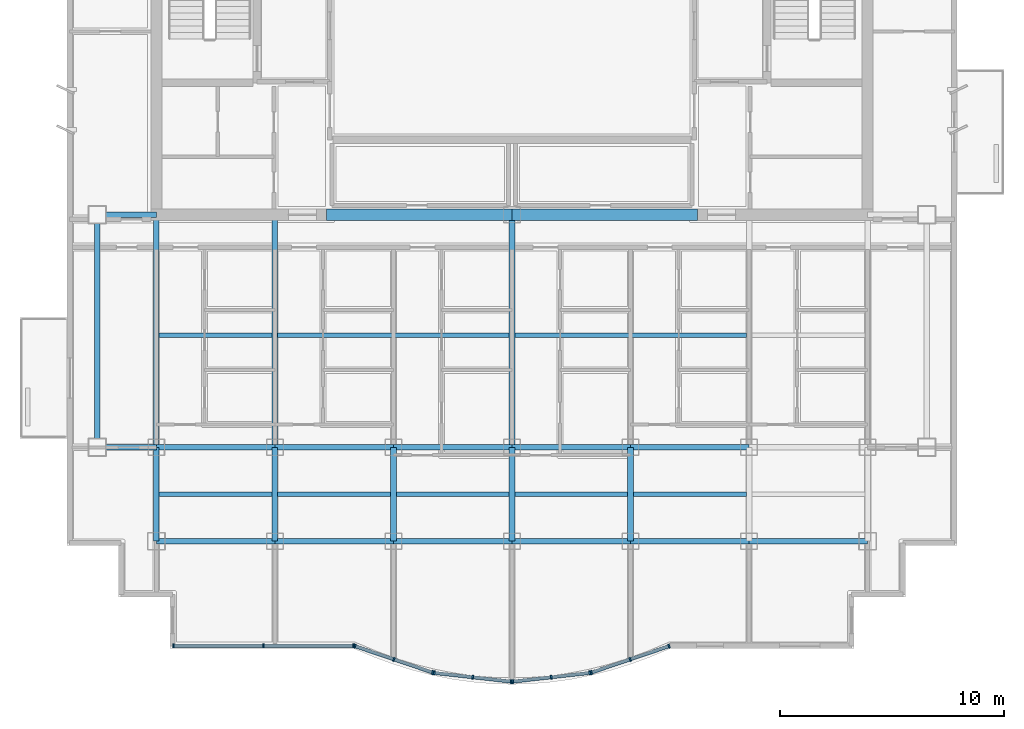
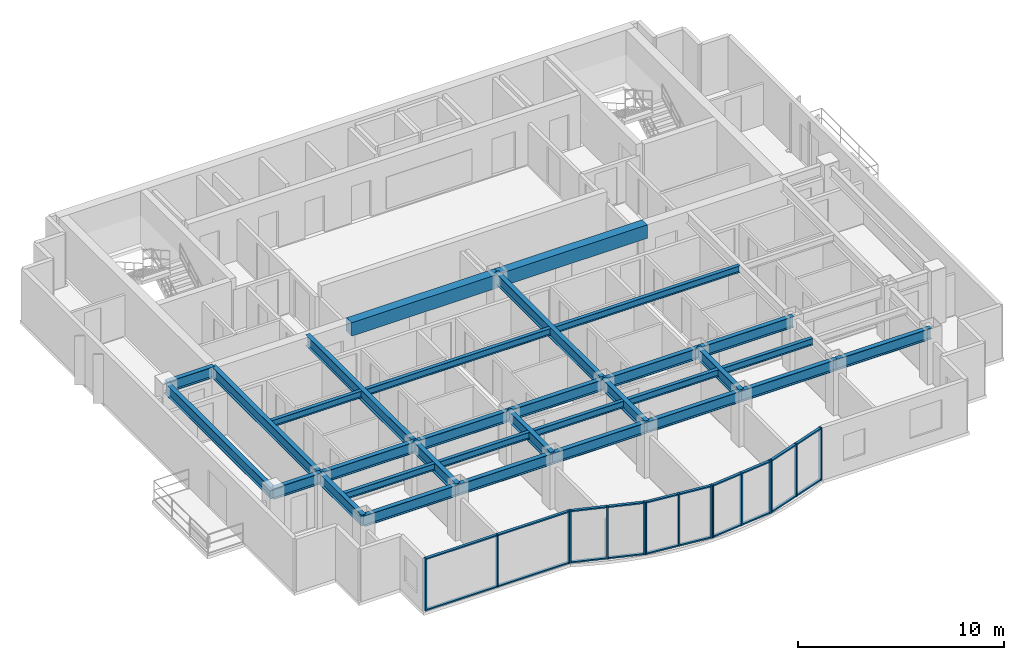
# One storey, part 2 of 9: 35 members, 32 beams, 5 elements without a shape of their own.
"""IFC4 building model written with IfcOpenShell, lengths in metres."""

from ifc_helpers import new_model, si_unit, direction, frame, origin, origin_2d, place, context, subcontext, project, spatial, rectangle, i_section, extrude, source, transform, mapped, material, layer, layer_set, material_profile, profile_set, type_object, element, aggregate, save


model = new_model("IFC4")

# Units and contexts
model_context = context("Model", 3, precision=1e-05, world=origin(), true_north=direction((0.0, 1.0)))
body_context = subcontext(model_context, "Body", "Model", "MODEL_VIEW")
ifc_project = project(units=[si_unit("LENGTHUNIT", "METRE"), si_unit("AREAUNIT", "SQUARE_METRE"), si_unit("VOLUMEUNIT", "CUBIC_METRE"), si_unit("PLANEANGLEUNIT", "RADIAN"), si_unit("MASSUNIT", "GRAM", prefix="KILO")], contexts=[model_context])

# Site, building, storey
site_placement = place(None, origin())
site = spatial("IfcSite", under=ifc_project, at=site_placement, CompositionType="ELEMENT")
building_placement = place(site_placement, origin())
building = spatial("IfcBuilding", under=site, at=building_placement, Name="Qianlan Lanfeng Residences", CompositionType="ELEMENT")
storey_placement = place(building_placement, frame((0.0, 0.0, 229.699951171875)))
storey = spatial("IfcBuildingStorey", under=building, at=storey_placement, Name="L63", CompositionType="ELEMENT", Elevation=229.699951171875)

# Beams
ifc_material_1 = material(Name="Steel SN490B", Category="steel")
ifc_material_profile_1 = material_profile(ifc_material_1, i_section(OverallWidth=0.25, OverallDepth=0.64990234375, WebThickness=0.012939453125, FlangeThickness=0.02197265625, at=origin_2d()), Name="H 650x250x13x22")
ifc_profile_set_1 = profile_set([ifc_material_profile_1], Name="Steel SN490B")
beam_type_1 = type_object("IfcBeamType", Name="G-650", PredefinedType="BEAM", material=ifc_profile_set_1)
beam_1_placement = place(storey_placement, frame((10.60009765625, 10.60009765625, 2.78515625), z_axis=(1.0, 0.0, 0.0), x_axis=(0.0, 1.0, 0.0)))
element("IfcBeam", 1, at=beam_1_placement, inside=storey, type_object=beam_type_1, Name="Structural beam G-650", PredefinedType="BEAM", context=body_context, shape_type="SweptSolid", body=[
    extrude(i_section(OverallWidth=0.25, OverallDepth=0.64990234375, WebThickness=0.012939453125, FlangeThickness=0.02197265625, at=origin_2d()), origin(), (0.0, 0.0, 1.0), 5.2998046875),
])
for number, where, z_axis, x_axis, name in (
    (2, (15.89990234375, 10.60009765625, 2.78515625), (1.0, 0.0, 0.0), (0.0, 1.0, 0.0), "Structural beam G-650"),
    (3, (21.199951171875, 10.60009765625, 2.78515625), (1.0, 0.0, 0.0), (0.0, 1.0, 0.0), "Structural beam G-650"),
    (4, (26.5, 10.60009765625, 2.78515625), (1.0, 0.0, 0.0), (0.0, 1.0, 0.0), "Structural beam G-650"),
    (5, (31.800048828125, 10.60009765625, 2.78515625), (1.0, 0.0, 0.0), (0.0, 1.0, 0.0), "Structural beam G-650"),
):
    element("IfcBeam", number, at=place(storey_placement, frame(where, z_axis=z_axis, x_axis=x_axis)), inside=storey, type_object=beam_type_1, Name=name, PredefinedType="BEAM", context=body_context, shape_type="SweptSolid", body=[
        extrude(i_section(OverallWidth=0.25, OverallDepth=0.64990234375, WebThickness=0.012939453125, FlangeThickness=0.02197265625, at=origin_2d()), origin(), (0.0, 0.0, 1.0), 5.300048828125),
    ])
beam_2_placement = place(storey_placement, frame((37.10009765625, 10.60009765625, 2.78515625), z_axis=(1.0, 0.0, 0.0), x_axis=(0.0, 1.0, 0.0)))
element("IfcBeam", 6, at=beam_2_placement, inside=storey, type_object=beam_type_1, Name="Structural beam G-650", PredefinedType="BEAM", context=body_context, shape_type="SweptSolid", body=[
    extrude(i_section(OverallWidth=0.25, OverallDepth=0.64990234375, WebThickness=0.012939453125, FlangeThickness=0.02197265625, at=origin_2d()), origin(), (0.0, 0.0, 1.0), 5.2998046875),
])
beam_3_placement = place(storey_placement, frame((7.949951171875, 14.800048828125, 2.78515625), z_axis=(1.0, 0.0, 0.0), x_axis=(0.0, 1.0, 0.0)))
element("IfcBeam", 7, at=beam_3_placement, inside=storey, type_object=beam_type_1, Name="Structural beam G-650", PredefinedType="BEAM", context=body_context, shape_type="SweptSolid", body=[
    extrude(i_section(OverallWidth=0.25, OverallDepth=0.64990234375, WebThickness=0.012939453125, FlangeThickness=0.02197265625, at=origin_2d()), origin(), (0.0, 0.0, 1.0), 2.650146484375),
])
beam_4_placement = place(storey_placement, frame((10.60009765625, 14.800048828125, 2.78515625), z_axis=(1.0, 0.0, 0.0), x_axis=(0.0, 1.0, 0.0)))
element("IfcBeam", 8, at=beam_4_placement, inside=storey, type_object=beam_type_1, Name="Structural beam G-650", PredefinedType="BEAM", context=body_context, shape_type="SweptSolid", body=[
    extrude(i_section(OverallWidth=0.25, OverallDepth=0.64990234375, WebThickness=0.012939453125, FlangeThickness=0.02197265625, at=origin_2d()), origin(), (0.0, 0.0, 1.0), 5.2998046875),
])
for number, where, z_axis, x_axis, name in (
    (9, (15.89990234375, 14.800048828125, 2.78515625), (1.0, 0.0, 0.0), (0.0, 1.0, 0.0), "Structural beam G-650"),
    (10, (21.199951171875, 14.800048828125, 2.78515625), (1.0, 0.0, 0.0), (0.0, 1.0, 0.0), "Structural beam G-650"),
    (11, (26.5, 14.800048828125, 2.78515625), (1.0, 0.0, 0.0), (0.0, 1.0, 0.0), "Structural beam G-650"),
    (12, (31.800048828125, 14.800048828125, 2.78515625), (1.0, 0.0, 0.0), (0.0, 1.0, 0.0), "Structural beam G-650"),
):
    element("IfcBeam", number, at=place(storey_placement, frame(where, z_axis=z_axis, x_axis=x_axis)), inside=storey, type_object=beam_type_1, Name=name, PredefinedType="BEAM", context=body_context, shape_type="SweptSolid", body=[
        extrude(i_section(OverallWidth=0.25, OverallDepth=0.64990234375, WebThickness=0.012939453125, FlangeThickness=0.02197265625, at=origin_2d()), origin(), (0.0, 0.0, 1.0), 5.300048828125),
    ])
beam_5_placement = place(storey_placement, frame((7.949951171875, 25.199951171875, 2.78515625), z_axis=(1.0, 0.0, 0.0), x_axis=(0.0, 1.0, 0.0)))
element("IfcBeam", 13, at=beam_5_placement, inside=storey, type_object=beam_type_1, Name="Structural beam G-650", PredefinedType="BEAM", context=body_context, shape_type="SweptSolid", body=[
    extrude(i_section(OverallWidth=0.25, OverallDepth=0.64990234375, WebThickness=0.012939453125, FlangeThickness=0.02197265625, at=origin_2d()), origin(), (0.0, 0.0, 1.0), 2.650146484375),
])
beam_6_placement = place(storey_placement, frame((10.60009765625, 10.60009765625, 2.78515625), z_axis=(0.0, 1.0, 0.0), x_axis=(-1.0, 0.0, 0.0)))
element("IfcBeam", 14, at=beam_6_placement, inside=storey, type_object=beam_type_1, Name="Structural beam G-650", PredefinedType="BEAM", context=body_context, shape_type="SweptSolid", body=[
    extrude(i_section(OverallWidth=0.25, OverallDepth=0.64990234375, WebThickness=0.012939453125, FlangeThickness=0.02197265625, at=origin_2d()), origin(), (0.0, 0.0, 1.0), 4.199951171875),
])
beam_7_placement = place(storey_placement, frame((10.60009765625, 14.800048828125, 2.78515625), z_axis=(0.0, 1.0, 0.0), x_axis=(-1.0, 0.0, 0.0)))
element("IfcBeam", 15, at=beam_7_placement, inside=storey, type_object=beam_type_1, Name="Structural beam G-650", PredefinedType="BEAM", context=body_context, shape_type="SweptSolid", body=[
    extrude(i_section(OverallWidth=0.25, OverallDepth=0.64990234375, WebThickness=0.012939453125, FlangeThickness=0.02197265625, at=origin_2d()), origin(), (0.0, 0.0, 1.0), 10.39990234375),
])
beam_8_placement = place(storey_placement, frame((15.89990234375, 10.60009765625, 2.78515625), z_axis=(0.0, 1.0, 0.0), x_axis=(-1.0, 0.0, 0.0)))
element("IfcBeam", 16, at=beam_8_placement, inside=storey, type_object=beam_type_1, Name="Structural beam G-650", PredefinedType="BEAM", context=body_context, shape_type="SweptSolid", body=[
    extrude(i_section(OverallWidth=0.25, OverallDepth=0.64990234375, WebThickness=0.012939453125, FlangeThickness=0.02197265625, at=origin_2d()), origin(), (0.0, 0.0, 1.0), 4.199951171875),
])
beam_9_placement = place(storey_placement, frame((15.89990234375, 14.800048828125, 2.78515625), z_axis=(0.0, 1.0, 0.0), x_axis=(-1.0, 0.0, 0.0)))
element("IfcBeam", 17, at=beam_9_placement, inside=storey, type_object=beam_type_1, Name="Structural beam G-650", PredefinedType="BEAM", context=body_context, shape_type="SweptSolid", body=[
    extrude(i_section(OverallWidth=0.25, OverallDepth=0.64990234375, WebThickness=0.012939453125, FlangeThickness=0.02197265625, at=origin_2d()), origin(), (0.0, 0.0, 1.0), 10.39990234375),
])
for number, where, z_axis, x_axis, name in (
    (18, (21.199951171875, 10.60009765625, 2.78515625), (0.0, 1.0, 0.0), (-1.0, 0.0, 0.0), "Structural beam G-650"),
    (19, (26.5, 10.60009765625, 2.78515625), (0.0, 1.0, 0.0), (-1.0, 0.0, 0.0), "Structural beam G-650"),
):
    element("IfcBeam", number, at=place(storey_placement, frame(where, z_axis=z_axis, x_axis=x_axis)), inside=storey, type_object=beam_type_1, Name=name, PredefinedType="BEAM", context=body_context, shape_type="SweptSolid", body=[
        extrude(i_section(OverallWidth=0.25, OverallDepth=0.64990234375, WebThickness=0.012939453125, FlangeThickness=0.02197265625, at=origin_2d()), origin(), (0.0, 0.0, 1.0), 4.199951171875),
    ])
beam_10_placement = place(storey_placement, frame((26.5, 14.800048828125, 2.78515625), z_axis=(0.0, 1.0, 0.0), x_axis=(-1.0, 0.0, 0.0)))
element("IfcBeam", 20, at=beam_10_placement, inside=storey, type_object=beam_type_1, Name="Structural beam G-650", PredefinedType="BEAM", context=body_context, shape_type="SweptSolid", body=[
    extrude(i_section(OverallWidth=0.25, OverallDepth=0.64990234375, WebThickness=0.012939453125, FlangeThickness=0.02197265625, at=origin_2d()), origin(), (0.0, 0.0, 1.0), 10.39990234375),
])
beam_11_placement = place(storey_placement, frame((31.800048828125, 10.60009765625, 2.78515625), z_axis=(0.0, 1.0, 0.0), x_axis=(-1.0, 0.0, 0.0)))
element("IfcBeam", 21, at=beam_11_placement, inside=storey, type_object=beam_type_1, Name="Structural beam G-650", PredefinedType="BEAM", context=body_context, shape_type="SweptSolid", body=[
    extrude(i_section(OverallWidth=0.25, OverallDepth=0.64990234375, WebThickness=0.012939453125, FlangeThickness=0.02197265625, at=origin_2d()), origin(), (0.0, 0.0, 1.0), 4.199951171875),
])
ifc_material_profile_2 = material_profile(ifc_material_1, i_section(OverallWidth=0.199951171875, OverallDepth=0.39990234375, WebThickness=0.008056640625, FlangeThickness=0.012939453125, at=origin_2d()), Name="H 400x200x8x13")
ifc_profile_set_2 = profile_set([ifc_material_profile_2], Name="Steel SN490B")
beam_type_2 = type_object("IfcBeamType", Name="J-400", PredefinedType="JOIST", material=ifc_profile_set_2)
beam_12_placement = place(storey_placement, frame((10.72509765625, 12.699951171875, 2.91015625), z_axis=(1.0, 0.0, 0.0), x_axis=(0.0, 1.0, 0.0)))
element("IfcBeam", 22, at=beam_12_placement, inside=storey, type_object=beam_type_2, Name="Structural beam J-400", PredefinedType="JOIST", context=body_context, shape_type="SweptSolid", body=[
    extrude(i_section(OverallWidth=0.199951171875, OverallDepth=0.39990234375, WebThickness=0.008056640625, FlangeThickness=0.012939453125, at=origin_2d()), origin(), (0.0, 0.0, 1.0), 5.0498046875),
])
for number, where, z_axis, x_axis, name in (
    (23, (16.02490234375, 12.699951171875, 2.91015625), (1.0, 0.0, 0.0), (0.0, 1.0, 0.0), "Structural beam J-400"),
    (24, (21.324951171875, 12.699951171875, 2.91015625), (1.0, 0.0, 0.0), (0.0, 1.0, 0.0), "Structural beam J-400"),
    (25, (26.625, 12.699951171875, 2.91015625), (1.0, 0.0, 0.0), (0.0, 1.0, 0.0), "Structural beam J-400"),
    (26, (31.925048828125, 12.699951171875, 2.91015625), (1.0, 0.0, 0.0), (0.0, 1.0, 0.0), "Structural beam J-400"),
):
    element("IfcBeam", number, at=place(storey_placement, frame(where, z_axis=z_axis, x_axis=x_axis)), inside=storey, type_object=beam_type_2, Name=name, PredefinedType="JOIST", context=body_context, shape_type="SweptSolid", body=[
        extrude(i_section(OverallWidth=0.199951171875, OverallDepth=0.39990234375, WebThickness=0.008056640625, FlangeThickness=0.012939453125, at=origin_2d()), origin(), (0.0, 0.0, 1.0), 5.050048828125),
    ])
beam_13_placement = place(storey_placement, frame((10.72509765625, 19.800048828125, 2.91015625), z_axis=(1.0, 0.0, 0.0), x_axis=(0.0, 1.0, 0.0)))
element("IfcBeam", 27, at=beam_13_placement, inside=storey, type_object=beam_type_2, Name="Structural beam J-400", PredefinedType="JOIST", context=body_context, shape_type="SweptSolid", body=[
    extrude(i_section(OverallWidth=0.199951171875, OverallDepth=0.39990234375, WebThickness=0.008056640625, FlangeThickness=0.012939453125, at=origin_2d()), origin(), (0.0, 0.0, 1.0), 5.0498046875),
])
for number, where, z_axis, x_axis, name in (
    (28, (16.02490234375, 19.800048828125, 2.91015625), (1.0, 0.0, 0.0), (0.0, 1.0, 0.0), "Structural beam J-400"),
    (29, (26.625, 19.800048828125, 2.91015625), (1.0, 0.0, 0.0), (0.0, 1.0, 0.0), "Structural beam J-400"),
):
    element("IfcBeam", number, at=place(storey_placement, frame(where, z_axis=z_axis, x_axis=x_axis)), inside=storey, type_object=beam_type_2, Name=name, PredefinedType="JOIST", context=body_context, shape_type="SweptSolid", body=[
        extrude(i_section(OverallWidth=0.199951171875, OverallDepth=0.39990234375, WebThickness=0.008056640625, FlangeThickness=0.012939453125, at=origin_2d()), origin(), (0.0, 0.0, 1.0), 10.35009765625),
    ])
ifc_material_2 = material(Name="Concrete C49", Category="concrete")
ifc_material_profile_3 = material_profile(ifc_material_2, rectangle(XDim=0.5, YDim=0.800048828125, at=origin_2d()), Name="RC 500x800")
ifc_profile_set_3 = profile_set([ifc_material_profile_3], Name="Concrete C49")
beam_type_3 = type_object("IfcBeamType", Name="LB-RC750", PredefinedType="BEAM", material=ifc_profile_set_3)
for number, where, z_axis, x_axis, name in (
    (30, (18.199951171875, 25.199951171875, 2.7099609375), (1.0, 0.0, 0.0), (0.0, 1.0, 0.0), "L63 Core Coupling Beam W"),
    (31, (26.5, 25.199951171875, 2.7099609375), (1.0, 0.0, 0.0), (0.0, 1.0, 0.0), "L63 Core Coupling Beam E"),
):
    element("IfcBeam", number, at=place(storey_placement, frame(where, z_axis=z_axis, x_axis=x_axis)), inside=storey, type_object=beam_type_3, Name=name, PredefinedType="BEAM", context=body_context, shape_type="SweptSolid", body=[
        extrude(rectangle(XDim=0.5, YDim=0.800048828125, at=origin_2d()), origin(), (0.0, 0.0, 1.0), 8.300048828125),
    ])
ifc_material_profile_4 = material_profile(ifc_material_1, i_section(OverallWidth=0.25, OverallDepth=0.64990234375, WebThickness=0.012939453125, FlangeThickness=0.02197265625, at=origin_2d()), Name="H 650x250x13x22")
ifc_profile_set_4 = profile_set([ifc_material_profile_4], Name="Steel SN490B")
beam_type_4 = type_object("IfcBeamType", Name="SG-650", PredefinedType="SPANDREL", material=ifc_profile_set_4)
beam_14_placement = place(storey_placement, frame((7.949951171875, 14.800048828125, 2.76513671875), z_axis=(0.0, 1.0, 0.0), x_axis=(-1.0, 0.0, 0.0)))
element("IfcBeam", 32, at=beam_14_placement, inside=storey, type_object=beam_type_4, Name="Structural beam SG-650", PredefinedType="SPANDREL", context=body_context, shape_type="SweptSolid", body=[
    extrude(i_section(OverallWidth=0.25, OverallDepth=0.64990234375, WebThickness=0.012939453125, FlangeThickness=0.02197265625, at=origin_2d()), origin(), (0.0, 0.0, 1.0), 10.39990234375),
])

# Curtain wall, members
ifc_material_3 = material(Name="Anodised Bronze Aluminium 6063-T6", Category="aluminium")
ifc_layer = layer(ifc_material_3, 0.219970703125)
ifc_layer_set = layer_set([ifc_layer], Name="Anodised Bronze Aluminium 6063-T6")
curtain_wall_type = type_object("IfcCurtainWallType", Name="CW-05", PredefinedType="NOTDEFINED", material=ifc_layer_set)
curtain_wall_1_placement = place(storey_placement, origin())
curtain_wall_1 = element("IfcCurtainWall", 33, at=curtain_wall_1_placement, inside=storey, type_object=curtain_wall_type, Name="L63 Unitised Curtain Wall CWR-L63-01 (CW-05)", PredefinedType="NOTDEFINED")
ifc_material_profile_5 = material_profile(ifc_material_3, rectangle(XDim=0.074951171875, YDim=0.14990234375, at=origin_2d()), Name="ALU TRANSOM 75x150")
ifc_profile_set_5 = profile_set([ifc_material_profile_5], Name="Anodised Bronze Aluminium 6063-T6")
member_type_1 = type_object("IfcMemberType", Name="CWT-150", PredefinedType="USERDEFINED", material=ifc_profile_set_5)
shared_shape_1 = source(origin(), body_context, "Body", "SweptSolid", [
    extrude(rectangle(XDim=0.074951171875, YDim=0.14990234375, at=origin_2d()), origin(), (0.0, 0.0, 1.0), 3.949462890625),
])
member_1_placement = place(storey_placement, frame((11.39501953125, 5.919921875, 0.03759765625), z_axis=(1.0, 0.0, 0.0), x_axis=(0.0, 0.0, 1.0)))
member_1 = element("IfcMember", 34, at=member_1_placement, type_object=member_type_1, Name="CWR-L63-01 Transom 1-BOT", ObjectType="TRANSOM", PredefinedType="USERDEFINED", context=body_context, shape_type="MappedRepresentation", body=[
    mapped(shared_shape_1, transform((0.0, 0.0, 0.0), scale=1.0)),
])
member_2_placement = place(storey_placement, frame((11.39501953125, 5.919921875, 3.072509765625), z_axis=(1.0, 0.0, 0.0), x_axis=(0.0, 0.0, 1.0)))
member_2 = element("IfcMember", 35, at=member_2_placement, type_object=member_type_1, Name="CWR-L63-01 Transom 1-TOP", ObjectType="TRANSOM", PredefinedType="USERDEFINED", context=body_context, shape_type="MappedRepresentation", body=[
    mapped(shared_shape_1, transform((0.0, 0.0, 0.0), scale=1.0)),
])
member_3_placement = place(storey_placement, frame((15.41943359375, 5.919921875, 0.03759765625), z_axis=(1.0, 0.0, 0.0), x_axis=(0.0, 0.0, 1.0)))
member_3 = element("IfcMember", 36, at=member_3_placement, type_object=member_type_1, Name="CWR-L63-01 Transom 2-BOT", ObjectType="TRANSOM", PredefinedType="USERDEFINED", context=body_context, shape_type="MappedRepresentation", body=[
    mapped(shared_shape_1, transform((0.0, 0.0, 0.0), scale=1.0)),
])
member_4_placement = place(storey_placement, frame((15.41943359375, 5.919921875, 3.072509765625), z_axis=(1.0, 0.0, 0.0), x_axis=(0.0, 0.0, 1.0)))
member_4 = element("IfcMember", 37, at=member_4_placement, type_object=member_type_1, Name="CWR-L63-01 Transom 2-TOP", ObjectType="TRANSOM", PredefinedType="USERDEFINED", context=body_context, shape_type="MappedRepresentation", body=[
    mapped(shared_shape_1, transform((0.0, 0.0, 0.0), scale=1.0)),
])

curtain_wall_2_placement = place(storey_placement, origin())
curtain_wall_2 = element("IfcCurtainWall", 38, at=curtain_wall_2_placement, inside=storey, type_object=curtain_wall_type, Name="L63 Unitised Curtain Wall CWR-L63-02 (CW-05)", PredefinedType="NOTDEFINED")
shared_shape_2 = source(origin(), body_context, "Body", "SweptSolid", [
    extrude(rectangle(XDim=0.074951171875, YDim=0.14990234375, at=origin_2d()), origin(), (0.0, 0.0, 1.0), 1.758056640625),
])
member_5_placement = place(storey_placement, frame((19.514892578125, 5.89599609375, 0.03759765625), z_axis=(0.946862437727, -0.321638809882, 0.0), x_axis=(0.0, 0.0, 1.0)))
member_5 = element("IfcMember", 39, at=member_5_placement, type_object=member_type_1, Name="CWR-L63-02 Transom 1-BOT", ObjectType="TRANSOM", PredefinedType="USERDEFINED", context=body_context, shape_type="MappedRepresentation", body=[
    mapped(shared_shape_2, transform((0.0, 0.0, 0.0), scale=1.0)),
])
member_6_placement = place(storey_placement, frame((19.514892578125, 5.89599609375, 3.072509765625), z_axis=(0.946862437727, -0.321638809882, 0.0), x_axis=(0.0, 0.0, 1.0)))
member_6 = element("IfcMember", 40, at=member_6_placement, type_object=member_type_1, Name="CWR-L63-02 Transom 1-TOP", ObjectType="TRANSOM", PredefinedType="USERDEFINED", context=body_context, shape_type="MappedRepresentation", body=[
    mapped(shared_shape_2, transform((0.0, 0.0, 0.0), scale=1.0)),
])

curtain_wall_3_placement = place(storey_placement, origin())
curtain_wall_3 = element("IfcCurtainWall", 41, at=curtain_wall_3_placement, inside=storey, type_object=curtain_wall_type, Name="L63 Unitised Curtain Wall CWR-L63-05 (CW-05)", PredefinedType="NOTDEFINED")
member_7_placement = place(storey_placement, frame((31.820556640625, 5.33056640625, 0.03759765625), z_axis=(0.946862437727, 0.321638809882, 0.0), x_axis=(0.0, 0.0, 1.0)))
member_7 = element("IfcMember", 42, at=member_7_placement, type_object=member_type_1, Name="CWR-L63-05 Transom 2-BOT", ObjectType="TRANSOM", PredefinedType="USERDEFINED", context=body_context, shape_type="MappedRepresentation", body=[
    mapped(shared_shape_2, transform((0.0, 0.0, 0.0), scale=1.0)),
])
member_8_placement = place(storey_placement, frame((31.820556640625, 5.33056640625, 3.072509765625), z_axis=(0.946862437727, 0.321638809882, 0.0), x_axis=(0.0, 0.0, 1.0)))
member_8 = element("IfcMember", 43, at=member_8_placement, type_object=member_type_1, Name="CWR-L63-05 Transom 2-TOP", ObjectType="TRANSOM", PredefinedType="USERDEFINED", context=body_context, shape_type="MappedRepresentation", body=[
    mapped(shared_shape_2, transform((0.0, 0.0, 0.0), scale=1.0)),
])

# Member
shared_shape_3 = source(origin(), body_context, "Body", "SweptSolid", [
    extrude(rectangle(XDim=0.074951171875, YDim=0.14990234375, at=origin_2d()), origin(), (0.0, 0.0, 1.0), 1.7578125),
])
member_9_placement = place(storey_placement, frame((21.25048828125, 5.306396484375, 0.03759765625), z_axis=(0.946904726058, -0.321514291702, 0.0), x_axis=(0.0, 0.0, 1.0)))
member_9 = element("IfcMember", 44, at=member_9_placement, type_object=member_type_1, Name="CWR-L63-02 Transom 2-BOT", ObjectType="TRANSOM", PredefinedType="USERDEFINED", context=body_context, shape_type="MappedRepresentation", body=[
    mapped(shared_shape_3, transform((0.0, 0.0, 0.0), scale=1.0)),
])

member_10_placement = place(storey_placement, frame((21.25048828125, 5.306396484375, 3.072509765625), z_axis=(0.946904726058, -0.321514291702, 0.0), x_axis=(0.0, 0.0, 1.0)))
member_10 = element("IfcMember", 45, at=member_10_placement, type_object=member_type_1, Name="CWR-L63-02 Transom 2-TOP", ObjectType="TRANSOM", PredefinedType="USERDEFINED", context=body_context, shape_type="MappedRepresentation", body=[
    mapped(shared_shape_3, transform((0.0, 0.0, 0.0), scale=1.0)),
])

member_11_placement = place(storey_placement, frame((30.0849609375, 4.7412109375, 0.03759765625), z_axis=(0.946904726058, 0.321514291702, 0.0), x_axis=(0.0, 0.0, 1.0)))
member_11 = element("IfcMember", 46, at=member_11_placement, type_object=member_type_1, Name="CWR-L63-05 Transom 1-BOT", ObjectType="TRANSOM", PredefinedType="USERDEFINED", context=body_context, shape_type="MappedRepresentation", body=[
    mapped(shared_shape_3, transform((0.0, 0.0, 0.0), scale=1.0)),
])

member_12_placement = place(storey_placement, frame((30.0849609375, 4.7412109375, 3.072509765625), z_axis=(0.946904726058, 0.321514291702, 0.0), x_axis=(0.0, 0.0, 1.0)))
member_12 = element("IfcMember", 47, at=member_12_placement, type_object=member_type_1, Name="CWR-L63-05 Transom 1-TOP", ObjectType="TRANSOM", PredefinedType="USERDEFINED", context=body_context, shape_type="MappedRepresentation", body=[
    mapped(shared_shape_3, transform((0.0, 0.0, 0.0), scale=1.0)),
])

# Curtain wall, members
curtain_wall_4_placement = place(storey_placement, origin())
curtain_wall_4 = element("IfcCurtainWall", 48, at=curtain_wall_4_placement, inside=storey, type_object=curtain_wall_type, Name="L63 Unitised Curtain Wall CWR-L63-03 (CW-05)", PredefinedType="NOTDEFINED")
shared_shape_4 = source(origin(), body_context, "Body", "SweptSolid", [
    extrude(rectangle(XDim=0.074951171875, YDim=0.14990234375, at=origin_2d()), origin(), (0.0, 0.0, 1.0), 1.65576171875),
])
member_13_placement = place(storey_placement, frame((23.060546875, 4.70849609375, 0.03759765625), z_axis=(0.993684337804, -0.112211571608, 0.0), x_axis=(0.0, 0.0, 1.0)))
member_13 = element("IfcMember", 49, at=member_13_placement, type_object=member_type_1, Name="CWR-L63-03 Transom 1-BOT", ObjectType="TRANSOM", PredefinedType="USERDEFINED", context=body_context, shape_type="MappedRepresentation", body=[
    mapped(shared_shape_4, transform((0.0, 0.0, 0.0), scale=1.0)),
])
member_14_placement = place(storey_placement, frame((23.060546875, 4.70849609375, 3.072509765625), z_axis=(0.993684337804, -0.112211571608, 0.0), x_axis=(0.0, 0.0, 1.0)))
member_14 = element("IfcMember", 50, at=member_14_placement, type_object=member_type_1, Name="CWR-L63-03 Transom 1-TOP", ObjectType="TRANSOM", PredefinedType="USERDEFINED", context=body_context, shape_type="MappedRepresentation", body=[
    mapped(shared_shape_4, transform((0.0, 0.0, 0.0), scale=1.0)),
])
member_15_placement = place(storey_placement, frame((24.7802734375, 4.514404296875, 0.03759765625), z_axis=(0.993667885999, -0.112357164139, 0.0), x_axis=(0.0, 0.0, 1.0)))
member_15 = element("IfcMember", 51, at=member_15_placement, type_object=member_type_1, Name="CWR-L63-03 Transom 2-BOT", ObjectType="TRANSOM", PredefinedType="USERDEFINED", context=body_context, shape_type="MappedRepresentation", body=[
    mapped(shared_shape_4, transform((0.0, 0.0, 0.0), scale=1.0)),
])
member_16_placement = place(storey_placement, frame((24.7802734375, 4.514404296875, 3.072509765625), z_axis=(0.993667885999, -0.112357164139, 0.0), x_axis=(0.0, 0.0, 1.0)))
member_16 = element("IfcMember", 52, at=member_16_placement, type_object=member_type_1, Name="CWR-L63-03 Transom 2-TOP", ObjectType="TRANSOM", PredefinedType="USERDEFINED", context=body_context, shape_type="MappedRepresentation", body=[
    mapped(shared_shape_4, transform((0.0, 0.0, 0.0), scale=1.0)),
])

curtain_wall_5_placement = place(storey_placement, origin())
curtain_wall_5 = element("IfcCurtainWall", 53, at=curtain_wall_5_placement, inside=storey, type_object=curtain_wall_type, Name="L63 Unitised Curtain Wall CWR-L63-04 (CW-05)", PredefinedType="NOTDEFINED")
member_17_placement = place(storey_placement, frame((26.574462890625, 4.328369140625, 0.03759765625), z_axis=(0.993667885999, 0.112357164139, 0.0), x_axis=(0.0, 0.0, 1.0)))
member_17 = element("IfcMember", 54, at=member_17_placement, type_object=member_type_1, Name="CWR-L63-04 Transom 1-BOT", ObjectType="TRANSOM", PredefinedType="USERDEFINED", context=body_context, shape_type="MappedRepresentation", body=[
    mapped(shared_shape_4, transform((0.0, 0.0, 0.0), scale=1.0)),
])
member_18_placement = place(storey_placement, frame((26.574462890625, 4.328369140625, 3.072509765625), z_axis=(0.993667885999, 0.112357164139, 0.0), x_axis=(0.0, 0.0, 1.0)))
member_18 = element("IfcMember", 55, at=member_18_placement, type_object=member_type_1, Name="CWR-L63-04 Transom 1-TOP", ObjectType="TRANSOM", PredefinedType="USERDEFINED", context=body_context, shape_type="MappedRepresentation", body=[
    mapped(shared_shape_4, transform((0.0, 0.0, 0.0), scale=1.0)),
])
member_19_placement = place(storey_placement, frame((28.294189453125, 4.522705078125, 0.03759765625), z_axis=(0.993684337804, 0.112211571608, 0.0), x_axis=(0.0, 0.0, 1.0)))
member_19 = element("IfcMember", 56, at=member_19_placement, type_object=member_type_1, Name="CWR-L63-04 Transom 2-BOT", ObjectType="TRANSOM", PredefinedType="USERDEFINED", context=body_context, shape_type="MappedRepresentation", body=[
    mapped(shared_shape_4, transform((0.0, 0.0, 0.0), scale=1.0)),
])
member_20_placement = place(storey_placement, frame((28.294189453125, 4.522705078125, 3.072509765625), z_axis=(0.993684337804, 0.112211571608, 0.0), x_axis=(0.0, 0.0, 1.0)))
member_20 = element("IfcMember", 57, at=member_20_placement, type_object=member_type_1, Name="CWR-L63-04 Transom 2-TOP", ObjectType="TRANSOM", PredefinedType="USERDEFINED", context=body_context, shape_type="MappedRepresentation", body=[
    mapped(shared_shape_4, transform((0.0, 0.0, 0.0), scale=1.0)),
])

# Member
ifc_material_profile_6 = material_profile(ifc_material_3, rectangle(XDim=0.074951171875, YDim=0.179931640625, at=origin_2d()), Name="ALU MULLION 75x180")
ifc_profile_set_6 = profile_set([ifc_material_profile_6], Name="Anodised Bronze Aluminium 6063-T6")
member_type_2 = type_object("IfcMemberType", Name="CWM-180", PredefinedType="MULLION", material=ifc_profile_set_6)
shared_shape_5 = source(origin(), body_context, "Body", "SweptSolid", [
    extrude(rectangle(XDim=0.074951171875, YDim=0.179931640625, at=origin_2d()), origin(), (0.0, 0.0, 1.0), 3.110107421875),
])
member_21_placement = place(storey_placement, frame((11.357421875, 5.919921875, 0.0), z_axis=(0.0, 0.0, 1.0), x_axis=(1.0, 0.0, 0.0)))
member_21 = element("IfcMember", 58, at=member_21_placement, type_object=member_type_2, Name="CWR-L63-01 Mullion 1", PredefinedType="MULLION", context=body_context, shape_type="MappedRepresentation", body=[
    mapped(shared_shape_5, transform((0.0, 0.0, 0.0), scale=1.0)),
])

member_22_placement = place(storey_placement, frame((15.382080078125, 5.919921875, 0.0), z_axis=(0.0, 0.0, 1.0), x_axis=(1.0, 0.0, 0.0)))
member_22 = element("IfcMember", 59, at=member_22_placement, type_object=member_type_2, Name="CWR-L63-01 Mullion 2", PredefinedType="MULLION", context=body_context, shape_type="MappedRepresentation", body=[
    mapped(shared_shape_5, transform((0.0, 0.0, 0.0), scale=1.0)),
])

member_23_placement = place(storey_placement, frame((19.406494140625, 5.919921875, 0.0), z_axis=(0.0, 0.0, 1.0), x_axis=(1.0, 0.0, 0.0)))
member_23 = element("IfcMember", 60, at=member_23_placement, type_object=member_type_2, Name="CWR-L63-01 Mullion 3", PredefinedType="MULLION", context=body_context, shape_type="MappedRepresentation", body=[
    mapped(shared_shape_5, transform((0.0, 0.0, 0.0), scale=1.0)),
])

aggregate(curtain_wall_1, [member_21, member_22, member_23, member_1, member_2, member_3, member_4])

member_24_placement = place(storey_placement, frame((19.4794921875, 5.907958984375, 0.0), z_axis=(0.0, 0.0, 1.0), x_axis=(0.946876819797, -0.321596467845, 0.0)))
member_24 = element("IfcMember", 61, at=member_24_placement, type_object=member_type_2, Name="CWR-L63-02 Mullion 1", PredefinedType="MULLION", context=body_context, shape_type="MappedRepresentation", body=[
    mapped(shared_shape_5, transform((0.0, 0.0, 0.0), scale=1.0)),
])

member_25_placement = place(storey_placement, frame((21.215087890625, 5.318603515625, 0.0), z_axis=(0.0, 0.0, 1.0), x_axis=(0.946876819797, -0.321596467845, 0.0)))
member_25 = element("IfcMember", 62, at=member_25_placement, type_object=member_type_2, Name="CWR-L63-02 Mullion 2", PredefinedType="MULLION", context=body_context, shape_type="MappedRepresentation", body=[
    mapped(shared_shape_5, transform((0.0, 0.0, 0.0), scale=1.0)),
])

member_26_placement = place(storey_placement, frame((22.950439453125, 4.72900390625, 0.0), z_axis=(0.0, 0.0, 1.0), x_axis=(0.946876819797, -0.321596467845, 0.0)))
member_26 = element("IfcMember", 63, at=member_26_placement, type_object=member_type_2, Name="CWR-L63-02 Mullion 3", PredefinedType="MULLION", context=body_context, shape_type="MappedRepresentation", body=[
    mapped(shared_shape_5, transform((0.0, 0.0, 0.0), scale=1.0)),
])

aggregate(curtain_wall_2, [member_24, member_25, member_26, member_5, member_6, member_9, member_10])

member_27_placement = place(storey_placement, frame((23.023193359375, 4.712890625, 0.0), z_axis=(0.0, 0.0, 1.0), x_axis=(0.993678497778, -0.112263275625, 0.0)))
member_27 = element("IfcMember", 64, at=member_27_placement, type_object=member_type_2, Name="CWR-L63-03 Mullion 1", PredefinedType="MULLION", context=body_context, shape_type="MappedRepresentation", body=[
    mapped(shared_shape_5, transform((0.0, 0.0, 0.0), scale=1.0)),
])

member_28_placement = place(storey_placement, frame((24.742919921875, 4.5185546875, 0.0), z_axis=(0.0, 0.0, 1.0), x_axis=(0.993678497778, -0.112263275625, 0.0)))
member_28 = element("IfcMember", 65, at=member_28_placement, type_object=member_type_2, Name="CWR-L63-03 Mullion 2", PredefinedType="MULLION", context=body_context, shape_type="MappedRepresentation", body=[
    mapped(shared_shape_5, transform((0.0, 0.0, 0.0), scale=1.0)),
])

member_29_placement = place(storey_placement, frame((26.462890625, 4.32421875, 0.0), z_axis=(0.0, 0.0, 1.0), x_axis=(0.993678497778, -0.112263275625, 0.0)))
member_29 = element("IfcMember", 66, at=member_29_placement, type_object=member_type_2, Name="CWR-L63-03 Mullion 3", PredefinedType="MULLION", context=body_context, shape_type="MappedRepresentation", body=[
    mapped(shared_shape_5, transform((0.0, 0.0, 0.0), scale=1.0)),
])

aggregate(curtain_wall_4, [member_27, member_28, member_29, member_13, member_14, member_15, member_16])

member_30_placement = place(storey_placement, frame((26.537353515625, 4.32421875, 0.0), z_axis=(0.0, 0.0, 1.0), x_axis=(0.993678497778, 0.112263275625, 0.0)))
member_30 = element("IfcMember", 67, at=member_30_placement, type_object=member_type_2, Name="CWR-L63-04 Mullion 1", PredefinedType="MULLION", context=body_context, shape_type="MappedRepresentation", body=[
    mapped(shared_shape_5, transform((0.0, 0.0, 0.0), scale=1.0)),
])

member_31_placement = place(storey_placement, frame((28.257080078125, 4.5185546875, 0.0), z_axis=(0.0, 0.0, 1.0), x_axis=(0.993678497778, 0.112263275625, 0.0)))
member_31 = element("IfcMember", 68, at=member_31_placement, type_object=member_type_2, Name="CWR-L63-04 Mullion 2", PredefinedType="MULLION", context=body_context, shape_type="MappedRepresentation", body=[
    mapped(shared_shape_5, transform((0.0, 0.0, 0.0), scale=1.0)),
])

member_32_placement = place(storey_placement, frame((29.976806640625, 4.712890625, 0.0), z_axis=(0.0, 0.0, 1.0), x_axis=(0.993678497778, 0.112263275625, 0.0)))
member_32 = element("IfcMember", 69, at=member_32_placement, type_object=member_type_2, Name="CWR-L63-04 Mullion 3", PredefinedType="MULLION", context=body_context, shape_type="MappedRepresentation", body=[
    mapped(shared_shape_5, transform((0.0, 0.0, 0.0), scale=1.0)),
])

aggregate(curtain_wall_5, [member_30, member_31, member_32, member_17, member_18, member_19, member_20])

member_33_placement = place(storey_placement, frame((30.049560546875, 4.72900390625, 0.0), z_axis=(0.0, 0.0, 1.0), x_axis=(0.946876819797, 0.321596467845, 0.0)))
member_33 = element("IfcMember", 70, at=member_33_placement, type_object=member_type_2, Name="CWR-L63-05 Mullion 1", PredefinedType="MULLION", context=body_context, shape_type="MappedRepresentation", body=[
    mapped(shared_shape_5, transform((0.0, 0.0, 0.0), scale=1.0)),
])

member_34_placement = place(storey_placement, frame((31.784912109375, 5.318603515625, 0.0), z_axis=(0.0, 0.0, 1.0), x_axis=(0.946876819797, 0.321596467845, 0.0)))
member_34 = element("IfcMember", 71, at=member_34_placement, type_object=member_type_2, Name="CWR-L63-05 Mullion 2", PredefinedType="MULLION", context=body_context, shape_type="MappedRepresentation", body=[
    mapped(shared_shape_5, transform((0.0, 0.0, 0.0), scale=1.0)),
])

member_35_placement = place(storey_placement, frame((33.5205078125, 5.907958984375, 0.0), z_axis=(0.0, 0.0, 1.0), x_axis=(0.946876819797, 0.321596467845, 0.0)))
member_35 = element("IfcMember", 72, at=member_35_placement, type_object=member_type_2, Name="CWR-L63-05 Mullion 3", PredefinedType="MULLION", context=body_context, shape_type="MappedRepresentation", body=[
    mapped(shared_shape_5, transform((0.0, 0.0, 0.0), scale=1.0)),
])

aggregate(curtain_wall_3, [member_33, member_34, member_35, member_11, member_12, member_7, member_8])

save(model, "model.ifc")
